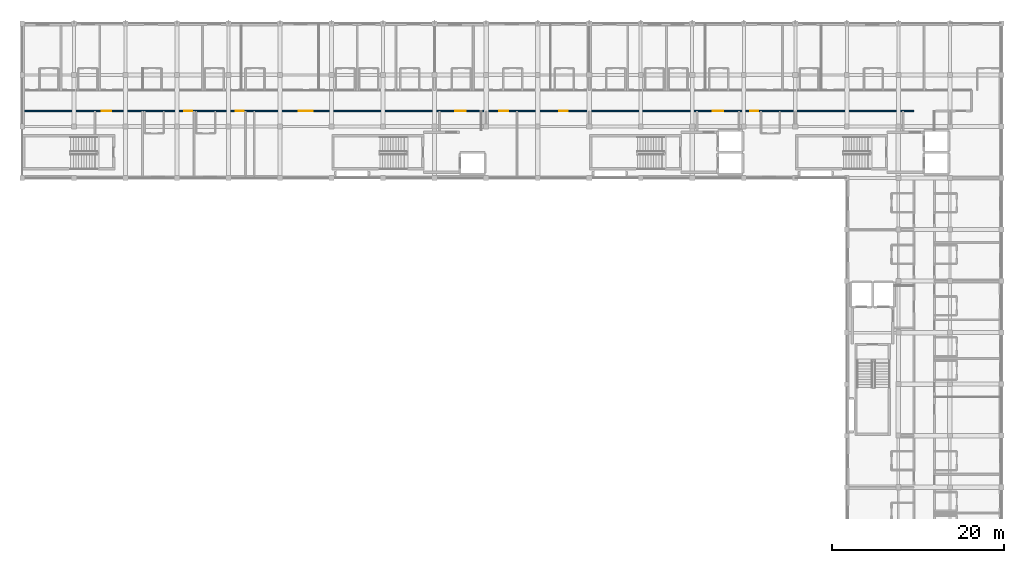
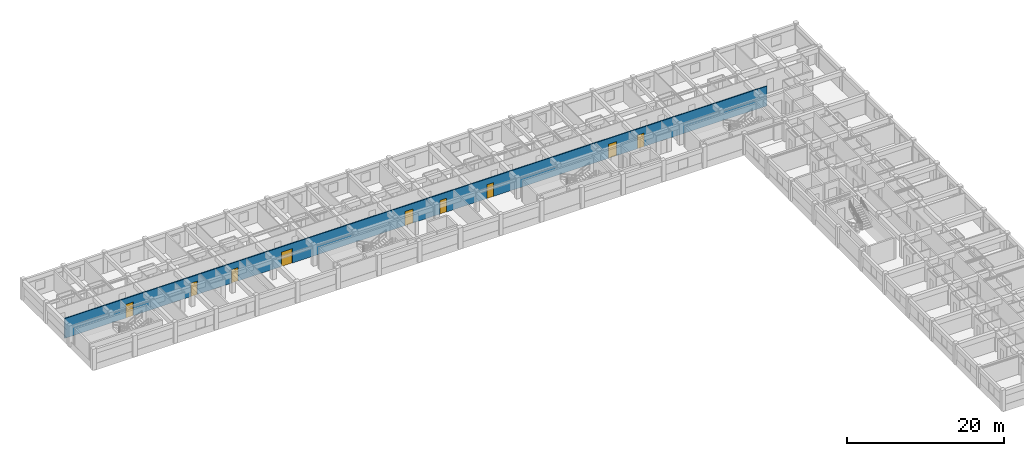
# One storey, part 11 of 22: 9 doors, 1 wall, 9 openings.
"""IFC4 building model written with IfcOpenShell, lengths in metres."""

from ifc_helpers import new_model, si_unit, direction, frame, frame_2d, origin, place, context, subcontext, project, spatial, rectangle, extrude, material, layer, layer_set, type_object, element, fill, save


model = new_model("IFC4")

# Units and contexts
model_context = context("Model", 3, precision=1e-05, world=origin(), true_north=direction((0.0, 1.0)))
body_context = subcontext(model_context, "Body", "Model", "MODEL_VIEW")
ifc_project = project(units=[si_unit("LENGTHUNIT", "METRE"), si_unit("AREAUNIT", "SQUARE_METRE"), si_unit("VOLUMEUNIT", "CUBIC_METRE"), si_unit("PLANEANGLEUNIT", "RADIAN"), si_unit("MASSUNIT", "GRAM", prefix="KILO"), si_unit("THERMODYNAMICTEMPERATUREUNIT", "KELVIN"), si_unit("POWERUNIT", "WATT")], contexts=[model_context])

# Site, building, storey
site_placement = place(None, origin())
site = spatial("IfcSite", under=ifc_project, at=site_placement, CompositionType="ELEMENT")
building_placement = place(site_placement, origin())
building = spatial("IfcBuilding", under=site, at=building_placement, Name="Phaisarnlok Congress Hotel", CompositionType="ELEMENT")
storey_placement = place(building_placement, frame((0.0, 0.0, 28.199951171875)))
storey = spatial("IfcBuildingStorey", under=building, at=storey_placement, Name="L06", CompositionType="ELEMENT", Elevation=28.199951171875)

# Wall, openings, doors
ifc_material_1 = material(Name="Acoustic Gypsum Board & Mineral Wool", Category="gypsum")
ifc_layer = layer(ifc_material_1, 0.14990234375, Name="Acoustic Gypsum Board & Mineral Wool")
ifc_layer_set = layer_set([ifc_layer], Name="Acoustic Gypsum Board & Mineral Wool")
wall_type = type_object("IfcWallType", Name="WL-INT-150", PredefinedType="PARTITIONING", material=ifc_layer_set)
wall_placement = place(storey_placement, frame((66.235107421875, 115.800048828125, 0.0), z_axis=(0.0, 0.0, 1.0), x_axis=(1.0, 0.0, 0.0)))
wall = element("IfcWall", 1, at=wall_placement, inside=storey, type_object=wall_type, Name="Interior partition wall IW-05 (L06)", PredefinedType="PARTITIONING", context=body_context, shape_type="SweptSolid", body=[
    extrude(rectangle(XDim=103.56494140625, YDim=0.14990234375, at=frame_2d((51.782470703125, 0.0))), origin(), (0.0, 0.0, 1.0), 3.080078125),
])
opening_1_placement = place(wall_placement, frame((80.1650390625, 0.0, 0.0)))
opening_1 = element("IfcOpeningElement", 2, at=opening_1_placement, cuts=wall, Name="Opening D-0226", PredefinedType="OPENING", context=body_context, shape_type="SweptSolid", body=[
    extrude(rectangle(XDim=1.199951171875, YDim=2.199951171875, at=frame_2d((0.60009765625, 1.10009765625))), frame((0.0, 0.0849609375, 0.0), z_axis=(0.0, -1.0, 0.0), x_axis=(1.0, 0.0, 0.0)), (0.0, 0.0, 1.0), 0.169921875),
])
opening_2_placement = place(wall_placement, frame((50.1650390625, 0.0, 0.0)))
opening_2 = element("IfcOpeningElement", 3, at=opening_2_placement, cuts=wall, Name="Opening D-0227", PredefinedType="OPENING", context=body_context, shape_type="SweptSolid", body=[
    extrude(rectangle(XDim=1.199951171875, YDim=2.199951171875, at=frame_2d((0.60009765625, 1.10009765625))), frame((0.0, 0.0849609375, 0.0), z_axis=(0.0, -1.0, 0.0), x_axis=(1.0, 0.0, 0.0)), (0.0, 0.0, 1.0), 0.169921875),
])
opening_3_placement = place(wall_placement, frame((9.014892578125, 0.0, 0.0)))
opening_3 = element("IfcOpeningElement", 4, at=opening_3_placement, cuts=wall, Name="Opening D-0229", PredefinedType="OPENING", context=body_context, shape_type="SweptSolid", body=[
    extrude(rectangle(XDim=1.10009765625, YDim=2.14990234375, at=frame_2d((0.550048828125, 1.074951171875))), frame((0.0, 0.0849609375, 0.0), z_axis=(0.0, -1.0, 0.0), x_axis=(1.0, 0.0, 0.0)), (0.0, 0.0, 1.0), 0.169921875),
])
opening_4_placement = place(wall_placement, frame((55.31494140625, 0.0, 0.0)))
opening_4 = element("IfcOpeningElement", 5, at=opening_4_placement, cuts=wall, Name="Opening D-0230", PredefinedType="OPENING", context=body_context, shape_type="SweptSolid", body=[
    extrude(rectangle(XDim=1.0, YDim=2.14990234375, at=frame_2d((0.5, 1.074951171875))), frame((0.0, 0.0849609375, 0.0), z_axis=(0.0, -1.0, 0.0), x_axis=(1.0, 0.0, 0.0)), (0.0, 0.0, 1.0), 0.169921875),
])
opening_5_placement = place(wall_placement, frame((62.284912109375, 0.0, 0.0)))
opening_5 = element("IfcOpeningElement", 6, at=opening_5_placement, cuts=wall, Name="Opening D-0231", PredefinedType="OPENING", context=body_context, shape_type="SweptSolid", body=[
    extrude(rectangle(XDim=0.9599609375, YDim=2.14990234375, at=frame_2d((0.47998046875, 1.074951171875))), frame((0.0, 0.0849609375, 0.0), z_axis=(0.0, -1.0, 0.0), x_axis=(1.0, 0.0, 0.0)), (0.0, 0.0, 1.0), 0.169921875),
])
opening_6_placement = place(wall_placement, frame((31.965087890625, 0.0, 0.0)))
opening_6 = element("IfcOpeningElement", 7, at=opening_6_placement, cuts=wall, Name="Opening D-0232", PredefinedType="OPENING", context=body_context, shape_type="SweptSolid", body=[
    extrude(rectangle(XDim=1.60009765625, YDim=2.25, at=frame_2d((0.800048828125, 1.125))), frame((0.0, 0.0849609375, 0.0), z_axis=(0.0, -1.0, 0.0), x_axis=(1.0, 0.0, 0.0)), (0.0, 0.0, 1.0), 0.169921875),
])
opening_7_placement = place(wall_placement, frame((18.590087890625, 0.0, 0.0)))
opening_7 = element("IfcOpeningElement", 8, at=opening_7_placement, cuts=wall, Name="Opening D-0270", PredefinedType="OPENING", context=body_context, shape_type="SweptSolid", body=[
    extrude(rectangle(XDim=0.949951171875, YDim=2.10009765625, at=frame_2d((0.47509765625, 1.050048828125))), frame((0.0, 0.0849609375, 0.0), z_axis=(0.0, -1.0, 0.0), x_axis=(1.0, 0.0, 0.0)), (0.0, 0.0, 1.0), 0.169921875),
])
opening_8_placement = place(wall_placement, frame((24.590087890625, 0.0, 0.0)))
opening_8 = element("IfcOpeningElement", 9, at=opening_8_placement, cuts=wall, Name="Opening D-0272", PredefinedType="OPENING", context=body_context, shape_type="SweptSolid", body=[
    extrude(rectangle(XDim=0.949951171875, YDim=2.10009765625, at=frame_2d((0.47509765625, 1.050048828125))), frame((0.0, 0.0849609375, 0.0), z_axis=(0.0, -1.0, 0.0), x_axis=(1.0, 0.0, 0.0)), (0.0, 0.0, 1.0), 0.169921875),
])
opening_9_placement = place(wall_placement, frame((84.489990234375, 0.0, 0.0)))
opening_9 = element("IfcOpeningElement", 10, at=opening_9_placement, cuts=wall, Name="Opening D-0274", PredefinedType="OPENING", context=body_context, shape_type="SweptSolid", body=[
    extrude(rectangle(XDim=0.949951171875, YDim=2.10009765625, at=frame_2d((0.47509765625, 1.050048828125))), frame((0.0, 0.0849609375, 0.0), z_axis=(0.0, -1.0, 0.0), x_axis=(1.0, 0.0, 0.0)), (0.0, 0.0, 1.0), 0.169921875),
])
ifc_material_2 = material(Name="Acoustic Solid-Core Teak Veneer", Category="wood")
door_type_1 = type_object("IfcDoorType", Name="DR-FD30-950", OperationType="NOTDEFINED", PredefinedType="DOOR", material=ifc_material_2)
door_1_placement = place(opening_7_placement, origin())
door_1 = element("IfcDoor", 11, at=door_1_placement, inside=storey, type_object=door_type_1, Name="Interior door D-0270 (L06)", OperationType="SINGLE_SWING_LEFT", OverallHeight=2.10009765625, OverallWidth=0.949951171875, PredefinedType="DOOR", context=body_context, shape_type="SweptSolid", body=[
    extrude(rectangle(XDim=0.949951171875, YDim=2.10009765625, at=frame_2d((0.47509765625, 1.050048828125))), frame((0.0, 0.02490234375, 0.0), z_axis=(0.0, -1.0, 0.0), x_axis=(1.0, 0.0, 0.0)), (0.0, 0.0, 1.0), 0.050048828125),
])
fill(opening_7, door_1)
door_2_placement = place(opening_8_placement, origin())
door_2 = element("IfcDoor", 12, at=door_2_placement, inside=storey, type_object=door_type_1, Name="Interior door D-0272 (L06)", OperationType="SINGLE_SWING_LEFT", OverallHeight=2.10009765625, OverallWidth=0.949951171875, PredefinedType="DOOR", context=body_context, shape_type="SweptSolid", body=[
    extrude(rectangle(XDim=0.949951171875, YDim=2.10009765625, at=frame_2d((0.47509765625, 1.050048828125))), frame((0.0, 0.02490234375, 0.0), z_axis=(0.0, -1.0, 0.0), x_axis=(1.0, 0.0, 0.0)), (0.0, 0.0, 1.0), 0.050048828125),
])
fill(opening_8, door_2)
door_3_placement = place(opening_9_placement, origin())
door_3 = element("IfcDoor", 13, at=door_3_placement, inside=storey, type_object=door_type_1, Name="Interior door D-0274 (L06)", OperationType="SINGLE_SWING_LEFT", OverallHeight=2.10009765625, OverallWidth=0.949951171875, PredefinedType="DOOR", context=body_context, shape_type="SweptSolid", body=[
    extrude(rectangle(XDim=0.949951171875, YDim=2.10009765625, at=frame_2d((0.47509765625, 1.050048828125))), frame((0.0, 0.02490234375, 0.0), z_axis=(0.0, -1.0, 0.0), x_axis=(1.0, 0.0, 0.0)), (0.0, 0.0, 1.0), 0.050048828125),
])
fill(opening_9, door_3)
ifc_material_3 = material(Name="Fire-Rated Steel Frame & Timber Leaf", Category="steel")
door_type_2 = type_object("IfcDoorType", Name="DR-FD60-1100", OperationType="NOTDEFINED", PredefinedType="DOOR", material=ifc_material_3)
door_4_placement = place(opening_3_placement, origin())
door_4 = element("IfcDoor", 14, at=door_4_placement, inside=storey, type_object=door_type_2, Name="Interior door D-0229 (L06)", OperationType="SINGLE_SWING_LEFT", OverallHeight=2.14990234375, OverallWidth=1.10009765625, PredefinedType="DOOR", context=body_context, shape_type="SweptSolid", body=[
    extrude(rectangle(XDim=1.10009765625, YDim=2.14990234375, at=frame_2d((0.550048828125, 1.074951171875))), frame((0.0, 0.02490234375, 0.0), z_axis=(0.0, -1.0, 0.0), x_axis=(1.0, 0.0, 0.0)), (0.0, 0.0, 1.0), 0.050048828125),
])
fill(opening_3, door_4)
door_type_3 = type_object("IfcDoorType", Name="DR-FD60-1200", OperationType="NOTDEFINED", PredefinedType="DOOR", material=ifc_material_3)
door_5_placement = place(opening_1_placement, origin())
door_5 = element("IfcDoor", 15, at=door_5_placement, inside=storey, type_object=door_type_3, Name="Interior door D-0226 (L06)", OperationType="SINGLE_SWING_RIGHT", OverallHeight=2.199951171875, OverallWidth=1.199951171875, PredefinedType="DOOR", context=body_context, shape_type="SweptSolid", body=[
    extrude(rectangle(XDim=1.199951171875, YDim=2.199951171875, at=frame_2d((0.60009765625, 1.10009765625))), frame((0.0, 0.02490234375, 0.0), z_axis=(0.0, -1.0, 0.0), x_axis=(1.0, 0.0, 0.0)), (0.0, 0.0, 1.0), 0.050048828125),
])
fill(opening_1, door_5)
door_6_placement = place(opening_2_placement, origin())
door_6 = element("IfcDoor", 16, at=door_6_placement, inside=storey, type_object=door_type_3, Name="Interior door D-0227 (L06)", OperationType="SINGLE_SWING_LEFT", OverallHeight=2.199951171875, OverallWidth=1.199951171875, PredefinedType="DOOR", context=body_context, shape_type="SweptSolid", body=[
    extrude(rectangle(XDim=1.199951171875, YDim=2.199951171875, at=frame_2d((0.60009765625, 1.10009765625))), frame((0.0, 0.02490234375, 0.0), z_axis=(0.0, -1.0, 0.0), x_axis=(1.0, 0.0, 0.0)), (0.0, 0.0, 1.0), 0.050048828125),
])
fill(opening_2, door_6)
door_type_4 = type_object("IfcDoorType", Name="DR-FD60-950", OperationType="NOTDEFINED", PredefinedType="DOOR", material=ifc_material_3)
door_7_placement = place(opening_5_placement, origin())
door_7 = element("IfcDoor", 17, at=door_7_placement, inside=storey, type_object=door_type_4, Name="Interior door D-0231 (L06)", OperationType="SINGLE_SWING_LEFT", OverallHeight=2.14990234375, OverallWidth=0.9599609375, PredefinedType="DOOR", context=body_context, shape_type="SweptSolid", body=[
    extrude(rectangle(XDim=0.9599609375, YDim=2.14990234375, at=frame_2d((0.47998046875, 1.074951171875))), frame((0.0, 0.02490234375, 0.0), z_axis=(0.0, -1.0, 0.0), x_axis=(1.0, 0.0, 0.0)), (0.0, 0.0, 1.0), 0.050048828125),
])
fill(opening_5, door_7)
ifc_material_4 = material(Name="Frameless Tempered Acoustic Glass", Category="glass")
door_type_5 = type_object("IfcDoorType", Name="DR-GLZ-1600", OperationType="DOUBLE_DOOR_SINGLE_SWING", PredefinedType="DOOR", material=ifc_material_4)
door_8_placement = place(opening_6_placement, origin())
door_8 = element("IfcDoor", 18, at=door_8_placement, inside=storey, type_object=door_type_5, Name="Interior door D-0232 (L06)", OperationType="DOUBLE_DOOR_SINGLE_SWING", OverallHeight=2.25, OverallWidth=1.60009765625, PredefinedType="DOOR", context=body_context, shape_type="SweptSolid", body=[
    extrude(rectangle(XDim=1.60009765625, YDim=2.25, at=frame_2d((0.800048828125, 1.125))), frame((0.0, 0.02490234375, 0.0), z_axis=(0.0, -1.0, 0.0), x_axis=(1.0, 0.0, 0.0)), (0.0, 0.0, 1.0), 0.050048828125),
])
fill(opening_6, door_8)
ifc_material_5 = material(Name="Solid-Core Oak Veneer", Category="wood")
door_type_6 = type_object("IfcDoorType", Name="DR-INT-1000", OperationType="NOTDEFINED", PredefinedType="DOOR", material=ifc_material_5)
door_9_placement = place(opening_4_placement, origin())
door_9 = element("IfcDoor", 19, at=door_9_placement, inside=storey, type_object=door_type_6, Name="Interior door D-0230 (L06)", OperationType="SINGLE_SWING_RIGHT", OverallHeight=2.14990234375, OverallWidth=1.0, PredefinedType="DOOR", context=body_context, shape_type="SweptSolid", body=[
    extrude(rectangle(XDim=1.0, YDim=2.14990234375, at=frame_2d((0.5, 1.074951171875))), frame((0.0, 0.02490234375, 0.0), z_axis=(0.0, -1.0, 0.0), x_axis=(1.0, 0.0, 0.0)), (0.0, 0.0, 1.0), 0.050048828125),
])
fill(opening_4, door_9)

save(model, "model.ifc")
